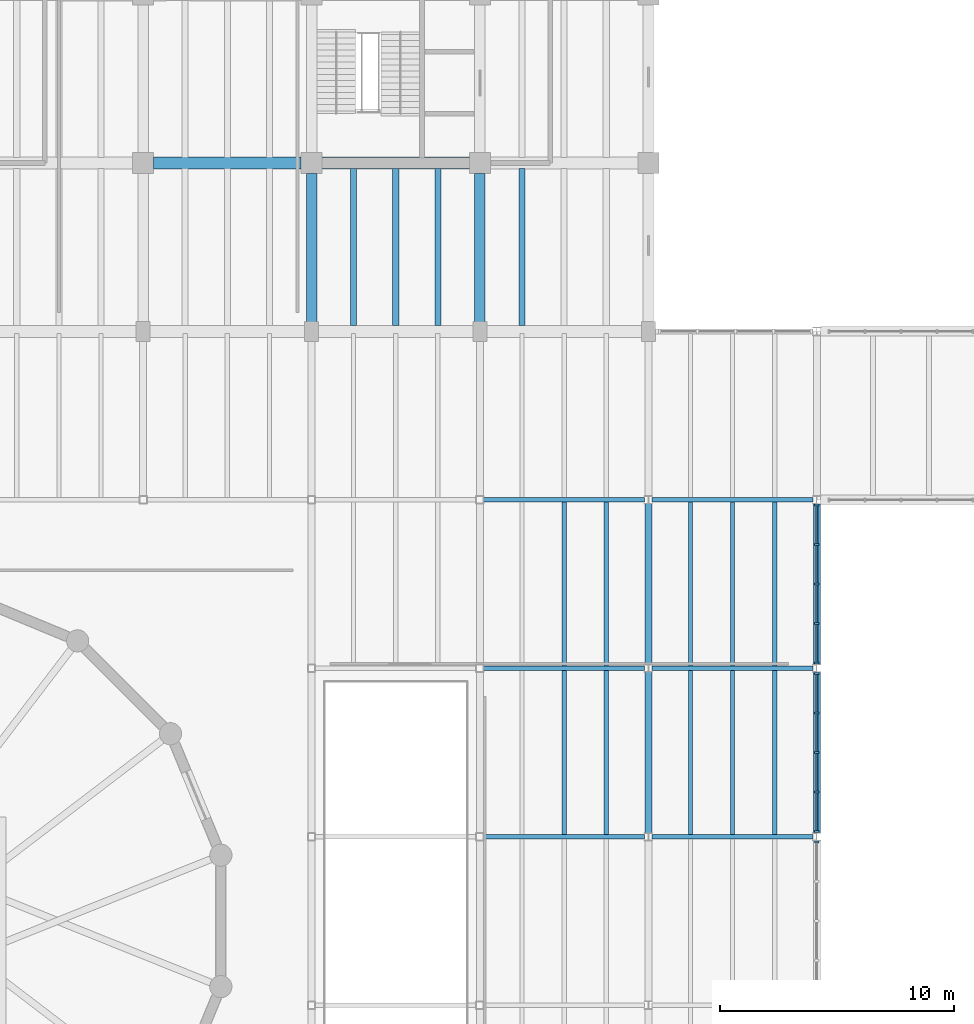
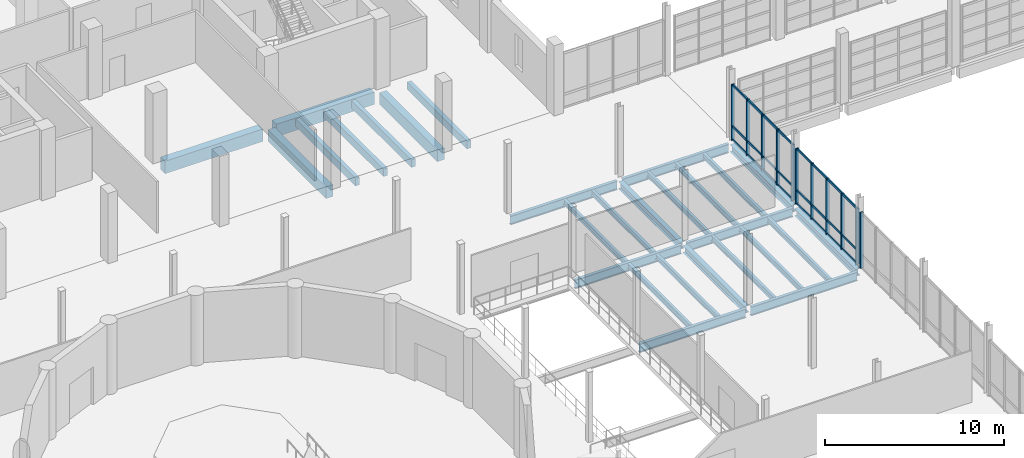
# One storey, part 37 of 77: 35 members, 28 beams, 3 elements without a shape of their own.
"""IFC4 building model written with IfcOpenShell, lengths in metres."""

from ifc_helpers import new_model, si_unit, direction, frame, origin, origin_2d, place, context, subcontext, project, spatial, rectangle, i_section, extrude, material, material_profile, profile_set, type_object, element, aggregate, save


model = new_model("IFC4")

# Units and contexts
model_context = context("Model", 3, precision=1e-05, world=origin(), true_north=direction((0.0, 1.0)))
body_context = subcontext(model_context, "Body", "Model", "MODEL_VIEW")
ifc_project = project(units=[si_unit("LENGTHUNIT", "METRE"), si_unit("AREAUNIT", "SQUARE_METRE"), si_unit("VOLUMEUNIT", "CUBIC_METRE"), si_unit("PLANEANGLEUNIT", "RADIAN"), si_unit("MASSUNIT", "GRAM", prefix="KILO")], contexts=[model_context])

# Site, building, storey
site_placement = place(None, origin())
site = spatial("IfcSite", under=ifc_project, at=site_placement, CompositionType="ELEMENT")
building_placement = place(site_placement, origin())
building = spatial("IfcBuilding", under=site, at=building_placement, Name="Qiaolan Assembly House", CompositionType="ELEMENT")
storey_placement = place(building_placement, frame((0.0, 0.0, 5.39990234375)))
storey = spatial("IfcBuildingStorey", under=building, at=storey_placement, Name="L01", CompositionType="ELEMENT", Elevation=5.39990234375)

# Beams
ifc_material_1 = material(Name="Concrete C40/50", Category="concrete")
ifc_material_profile_1 = material_profile(ifc_material_1, rectangle(XDim=0.449951171875, YDim=0.800048828125, at=origin_2d()), Name="RCB 450x800")
ifc_profile_set_1 = profile_set([ifc_material_profile_1], Name="Concrete C40/50")
beam_type_1 = type_object("IfcBeamType", Name="BM-RC-450x800", PredefinedType="BEAM", material=ifc_profile_set_1)
for number, where, z_axis, x_axis, name in (
    (1, (86.39990234375, 86.68994140625, -0.64990234375), (0.0, 1.0, 0.0), (-1.0, 0.0, 0.0), "GB-03 beam BMY-NW-L01-07-00"),
    (2, (93.60009765625, 86.68994140625, -0.64990234375), (0.0, 1.0, 0.0), (-1.0, 0.0, 0.0), "GB-03 beam BMY-NW-L01-08-00"),
):
    element("IfcBeam", number, at=place(storey_placement, frame(where, z_axis=z_axis, x_axis=x_axis)), inside=storey, type_object=beam_type_1, Name=name, PredefinedType="BEAM", context=body_context, shape_type="SweptSolid", body=[
        extrude(rectangle(XDim=0.449951171875, YDim=0.800048828125, at=origin_2d()), origin(), (0.0, 0.0, 1.0), 6.469970703125),
    ])
ifc_material_2 = material(Name="Concrete C45/55", Category="concrete")
ifc_material_profile_2 = material_profile(ifc_material_2, rectangle(XDim=0.5, YDim=0.85009765625, at=origin_2d()), Name="RCB 500x850")
ifc_profile_set_2 = profile_set([ifc_material_profile_2], Name="Concrete C45/55")
beam_type_2 = type_object("IfcBeamType", Name="BM-RC-500x850", PredefinedType="BEAM", material=ifc_profile_set_2)
beam_1_placement = place(storey_placement, frame((79.639892578125, 93.60009765625, -0.6748046875), z_axis=(1.0, 0.0, 0.0), x_axis=(0.0, 1.0, 0.0)))
element("IfcBeam", 3, at=beam_1_placement, inside=storey, type_object=beam_type_2, Name="GB-02 beam BMX-NW-L01-06-01", PredefinedType="BEAM", context=body_context, shape_type="SweptSolid", body=[
    extrude(rectangle(XDim=0.5, YDim=0.85009765625, at=origin_2d()), origin(), (0.0, 0.0, 1.0), 6.320068359375),
])
beam_2_placement = place(storey_placement, frame((86.840087890625, 93.60009765625, -0.6748046875), z_axis=(1.0, 0.0, 0.0), x_axis=(0.0, 1.0, 0.0)))
element("IfcBeam", 4, at=beam_2_placement, inside=storey, type_object=beam_type_2, Name="GB-02 beam BMX-NW-L01-07-01", PredefinedType="BEAM", context=body_context, shape_type="SweptSolid", body=[
    extrude(rectangle(XDim=0.5, YDim=0.85009765625, at=origin_2d()), origin(), (0.0, 0.0, 1.0), 6.31982421875),
])
ifc_material_3 = material(Name="Steel Q355B", Category="steel")
ifc_material_profile_3 = material_profile(ifc_material_3, i_section(OverallWidth=0.300048828125, OverallDepth=0.488037109375, WebThickness=0.010986328125, FlangeThickness=0.01806640625, FilletRadius=0.02001953125, at=origin_2d()), Name="HM 488x300x11x18")
ifc_profile_set_3 = profile_set([ifc_material_profile_3], Name="Steel Q355B")
beam_type_3 = type_object("IfcBeamType", Name="BM-STL-HM488", PredefinedType="BEAM", material=ifc_profile_set_3)
for number, where, z_axis, x_axis, name in (
    (5, (100.800048828125, 64.965087890625, -0.5439453125), (0.0, 1.0, 0.0), (-1.0, 0.0, 0.0), "SB-04 beam BMY-HL-L01-11-04"),
    (6, (100.800048828125, 72.1650390625, -0.5439453125), (0.0, 1.0, 0.0), (-1.0, 0.0, 0.0), "SB-04 beam BMY-HL-L01-11-05"),
    (7, (108.0, 64.965087890625, -0.5439453125), (0.0, 1.0, 0.0), (-1.0, 0.0, 0.0), "SB-04 beam BMY-HL-L01-12-04"),
    (8, (108.0, 72.1650390625, -0.5439453125), (0.0, 1.0, 0.0), (-1.0, 0.0, 0.0), "SB-04 beam BMY-HL-L01-12-05"),
):
    element("IfcBeam", number, at=place(storey_placement, frame(where, z_axis=z_axis, x_axis=x_axis)), inside=storey, type_object=beam_type_3, Name=name, PredefinedType="BEAM", context=body_context, shape_type="SweptSolid", body=[
        extrude(i_section(OverallWidth=0.300048828125, OverallDepth=0.488037109375, WebThickness=0.010986328125, FlangeThickness=0.01806640625, FilletRadius=0.02001953125, at=origin_2d()), origin(), (0.0, 0.0, 1.0), 6.869873046875),
    ])
ifc_material_profile_4 = material_profile(ifc_material_3, i_section(OverallWidth=0.199951171875, OverallDepth=0.60009765625, WebThickness=0.010986328125, FlangeThickness=0.01708984375, FilletRadius=0.02001953125, at=origin_2d()), Name="HN 600x200x11x17")
ifc_profile_set_4 = profile_set([ifc_material_profile_4], Name="Steel Q355B")
beam_type_4 = type_object("IfcBeamType", Name="BM-STL-HN600", PredefinedType="BEAM", material=ifc_profile_set_4)
beam_3_placement = place(storey_placement, frame((93.75, 64.800048828125, -0.599853515625), z_axis=(1.0, 0.0, 0.0), x_axis=(0.0, 1.0, 0.0)))
element("IfcBeam", 9, at=beam_3_placement, inside=storey, type_object=beam_type_4, Name="SB-03 beam BMX-HL-L01-10-04", PredefinedType="BEAM", context=body_context, shape_type="SweptSolid", body=[
    extrude(i_section(OverallWidth=0.199951171875, OverallDepth=0.60009765625, WebThickness=0.010986328125, FlangeThickness=0.01708984375, FilletRadius=0.02001953125, at=origin_2d()), origin(), (0.0, 0.0, 1.0), 6.885009765625),
])
beam_4_placement = place(storey_placement, frame((100.965087890625, 64.800048828125, -0.599853515625), z_axis=(1.0, 0.0, 0.0), x_axis=(0.0, 1.0, 0.0)))
element("IfcBeam", 10, at=beam_4_placement, inside=storey, type_object=beam_type_4, Name="SB-03 beam BMX-HL-L01-11-04", PredefinedType="BEAM", context=body_context, shape_type="SweptSolid", body=[
    extrude(i_section(OverallWidth=0.199951171875, OverallDepth=0.60009765625, WebThickness=0.010986328125, FlangeThickness=0.01708984375, FilletRadius=0.02001953125, at=origin_2d()), origin(), (0.0, 0.0, 1.0), 6.869873046875),
])
beam_5_placement = place(storey_placement, frame((93.75, 72.0, -0.599853515625), z_axis=(1.0, 0.0, 0.0), x_axis=(0.0, 1.0, 0.0)))
element("IfcBeam", 11, at=beam_5_placement, inside=storey, type_object=beam_type_4, Name="SB-03 beam BMX-HL-L01-10-05", PredefinedType="BEAM", context=body_context, shape_type="SweptSolid", body=[
    extrude(i_section(OverallWidth=0.199951171875, OverallDepth=0.60009765625, WebThickness=0.010986328125, FlangeThickness=0.01708984375, FilletRadius=0.02001953125, at=origin_2d()), origin(), (0.0, 0.0, 1.0), 6.885009765625),
])
beam_6_placement = place(storey_placement, frame((100.965087890625, 72.0, -0.599853515625), z_axis=(1.0, 0.0, 0.0), x_axis=(0.0, 1.0, 0.0)))
element("IfcBeam", 12, at=beam_6_placement, inside=storey, type_object=beam_type_4, Name="SB-03 beam BMX-HL-L01-11-05", PredefinedType="BEAM", context=body_context, shape_type="SweptSolid", body=[
    extrude(i_section(OverallWidth=0.199951171875, OverallDepth=0.60009765625, WebThickness=0.010986328125, FlangeThickness=0.01708984375, FilletRadius=0.02001953125, at=origin_2d()), origin(), (0.0, 0.0, 1.0), 6.869873046875),
])
beam_7_placement = place(storey_placement, frame((93.75, 79.199951171875, -0.599853515625), z_axis=(1.0, 0.0, 0.0), x_axis=(0.0, 1.0, 0.0)))
element("IfcBeam", 13, at=beam_7_placement, inside=storey, type_object=beam_type_4, Name="SB-03 beam BMX-HL-L01-10-06", PredefinedType="BEAM", context=body_context, shape_type="SweptSolid", body=[
    extrude(i_section(OverallWidth=0.199951171875, OverallDepth=0.60009765625, WebThickness=0.010986328125, FlangeThickness=0.01708984375, FilletRadius=0.02001953125, at=origin_2d()), origin(), (0.0, 0.0, 1.0), 6.885009765625),
])
beam_8_placement = place(storey_placement, frame((100.965087890625, 79.199951171875, -0.599853515625), z_axis=(1.0, 0.0, 0.0), x_axis=(0.0, 1.0, 0.0)))
element("IfcBeam", 14, at=beam_8_placement, inside=storey, type_object=beam_type_4, Name="SB-03 beam BMX-HL-L01-11-06", PredefinedType="BEAM", context=body_context, shape_type="SweptSolid", body=[
    extrude(i_section(OverallWidth=0.199951171875, OverallDepth=0.60009765625, WebThickness=0.010986328125, FlangeThickness=0.01708984375, FilletRadius=0.02001953125, at=origin_2d()), origin(), (0.0, 0.0, 1.0), 6.869873046875),
])

# Curtain wall, member
ifc_material_4 = material(Name="Anodised bronze aluminium", Category="aluminium")
curtain_wall_type = type_object("IfcCurtainWallType", Name="CW-HALL-UPPER-480", PredefinedType="NOTDEFINED", material=ifc_material_4)
curtain_wall_1_placement = place(storey_placement, origin())
curtain_wall_1 = element("IfcCurtainWall", 15, at=curtain_wall_1_placement, inside=storey, type_object=curtain_wall_type, Name="CW-01 Hall East court curtain wall L01-3", PredefinedType="NOTDEFINED")
ifc_material_profile_5 = material_profile(ifc_material_4, rectangle(XDim=0.0859375, YDim=0.199951171875, at=origin_2d()), Name="MUL 86x200")
ifc_profile_set_5 = profile_set([ifc_material_profile_5], Name="Anodised bronze aluminium")
member_type_1 = type_object("IfcMemberType", Name="CW-HALL-UPPER-480-MUL", PredefinedType="MULLION", material=ifc_profile_set_5)
member_1_placement = place(storey_placement, frame((108.0, 64.580078125, 0.0), z_axis=(0.0, 0.0, 1.0), x_axis=(0.0, -1.0, 0.0)))
member_1 = element("IfcMember", 16, at=member_1_placement, type_object=member_type_1, Name="ML-02 mullion CW-HALL-E-L01-02-1", PredefinedType="MULLION", context=body_context, shape_type="SweptSolid", body=[
    extrude(rectangle(XDim=0.0859375, YDim=0.199951171875, at=origin_2d()), origin(), (0.0, 0.0, 1.0), 3.800048828125),
])
aggregate(curtain_wall_1, [member_1])

# Curtain wall, members
curtain_wall_2_placement = place(storey_placement, origin())
curtain_wall_2 = element("IfcCurtainWall", 17, at=curtain_wall_2_placement, inside=storey, type_object=curtain_wall_type, Name="CW-01 Hall East court curtain wall L01-4", PredefinedType="NOTDEFINED")
member_2_placement = place(storey_placement, frame((108.0, 71.780029296875, 0.0), z_axis=(0.0, 0.0, 1.0), x_axis=(0.0, -1.0, 0.0)))
member_2 = element("IfcMember", 18, at=member_2_placement, type_object=member_type_1, Name="ML-02 mullion CW-HALL-E-L01-03-1", PredefinedType="MULLION", context=body_context, shape_type="SweptSolid", body=[
    extrude(rectangle(XDim=0.0859375, YDim=0.199951171875, at=origin_2d()), origin(), (0.0, 0.0, 1.0), 3.800048828125),
])
member_3_placement = place(storey_placement, frame((108.0, 70.090087890625, 0.0), z_axis=(0.0, 0.0, 1.0), x_axis=(0.0, -1.0, 0.0)))
member_3 = element("IfcMember", 19, at=member_3_placement, type_object=member_type_1, Name="ML-02 mullion CW-HALL-E-L01-03-2", PredefinedType="MULLION", context=body_context, shape_type="SweptSolid", body=[
    extrude(rectangle(XDim=0.0859375, YDim=0.199951171875, at=origin_2d()), origin(), (0.0, 0.0, 1.0), 3.800048828125),
])
member_4_placement = place(storey_placement, frame((108.0, 68.39990234375, 0.0), z_axis=(0.0, 0.0, 1.0), x_axis=(0.0, -1.0, 0.0)))
member_4 = element("IfcMember", 20, at=member_4_placement, type_object=member_type_1, Name="ML-02 mullion CW-HALL-E-L01-03-3", PredefinedType="MULLION", context=body_context, shape_type="SweptSolid", body=[
    extrude(rectangle(XDim=0.0859375, YDim=0.199951171875, at=origin_2d()), origin(), (0.0, 0.0, 1.0), 3.800048828125),
])
member_5_placement = place(storey_placement, frame((108.0, 66.7099609375, 0.0), z_axis=(0.0, 0.0, 1.0), x_axis=(0.0, -1.0, 0.0)))
member_5 = element("IfcMember", 21, at=member_5_placement, type_object=member_type_1, Name="ML-02 mullion CW-HALL-E-L01-03-4", PredefinedType="MULLION", context=body_context, shape_type="SweptSolid", body=[
    extrude(rectangle(XDim=0.0859375, YDim=0.199951171875, at=origin_2d()), origin(), (0.0, 0.0, 1.0), 3.800048828125),
])
member_6_placement = place(storey_placement, frame((108.0, 65.02001953125, 0.0), z_axis=(0.0, 0.0, 1.0), x_axis=(0.0, -1.0, 0.0)))
member_6 = element("IfcMember", 22, at=member_6_placement, type_object=member_type_1, Name="ML-02 mullion CW-HALL-E-L01-03-5", PredefinedType="MULLION", context=body_context, shape_type="SweptSolid", body=[
    extrude(rectangle(XDim=0.0859375, YDim=0.199951171875, at=origin_2d()), origin(), (0.0, 0.0, 1.0), 3.800048828125),
])

curtain_wall_3_placement = place(storey_placement, origin())
curtain_wall_3 = element("IfcCurtainWall", 23, at=curtain_wall_3_placement, inside=storey, type_object=curtain_wall_type, Name="CW-01 Hall East court curtain wall L01-5", PredefinedType="NOTDEFINED")
member_7_placement = place(storey_placement, frame((108.0, 78.97998046875, 0.0), z_axis=(0.0, 0.0, 1.0), x_axis=(0.0, -1.0, 0.0)))
member_7 = element("IfcMember", 24, at=member_7_placement, type_object=member_type_1, Name="ML-02 mullion CW-HALL-E-L01-04-1", PredefinedType="MULLION", context=body_context, shape_type="SweptSolid", body=[
    extrude(rectangle(XDim=0.0859375, YDim=0.199951171875, at=origin_2d()), origin(), (0.0, 0.0, 1.0), 3.800048828125),
])
member_8_placement = place(storey_placement, frame((108.0, 77.2900390625, 0.0), z_axis=(0.0, 0.0, 1.0), x_axis=(0.0, -1.0, 0.0)))
member_8 = element("IfcMember", 25, at=member_8_placement, type_object=member_type_1, Name="ML-02 mullion CW-HALL-E-L01-04-2", PredefinedType="MULLION", context=body_context, shape_type="SweptSolid", body=[
    extrude(rectangle(XDim=0.0859375, YDim=0.199951171875, at=origin_2d()), origin(), (0.0, 0.0, 1.0), 3.800048828125),
])
member_9_placement = place(storey_placement, frame((108.0, 75.60009765625, 0.0), z_axis=(0.0, 0.0, 1.0), x_axis=(0.0, -1.0, 0.0)))
member_9 = element("IfcMember", 26, at=member_9_placement, type_object=member_type_1, Name="ML-02 mullion CW-HALL-E-L01-04-3", PredefinedType="MULLION", context=body_context, shape_type="SweptSolid", body=[
    extrude(rectangle(XDim=0.0859375, YDim=0.199951171875, at=origin_2d()), origin(), (0.0, 0.0, 1.0), 3.800048828125),
])
member_10_placement = place(storey_placement, frame((108.0, 73.909912109375, 0.0), z_axis=(0.0, 0.0, 1.0), x_axis=(0.0, -1.0, 0.0)))
member_10 = element("IfcMember", 27, at=member_10_placement, type_object=member_type_1, Name="ML-02 mullion CW-HALL-E-L01-04-4", PredefinedType="MULLION", context=body_context, shape_type="SweptSolid", body=[
    extrude(rectangle(XDim=0.0859375, YDim=0.199951171875, at=origin_2d()), origin(), (0.0, 0.0, 1.0), 3.800048828125),
])
member_11_placement = place(storey_placement, frame((108.0, 72.219970703125, 0.0), z_axis=(0.0, 0.0, 1.0), x_axis=(0.0, -1.0, 0.0)))
member_11 = element("IfcMember", 28, at=member_11_placement, type_object=member_type_1, Name="ML-02 mullion CW-HALL-E-L01-04-5", PredefinedType="MULLION", context=body_context, shape_type="SweptSolid", body=[
    extrude(rectangle(XDim=0.0859375, YDim=0.199951171875, at=origin_2d()), origin(), (0.0, 0.0, 1.0), 3.800048828125),
])

# Member
ifc_material_profile_6 = material_profile(ifc_material_4, rectangle(XDim=0.075927734375, YDim=0.14990234375, at=origin_2d()), Name="TRN 76x150")
ifc_profile_set_6 = profile_set([ifc_material_profile_6], Name="Anodised bronze aluminium")
member_type_2 = type_object("IfcMemberType", Name="CW-HALL-UPPER-480-TRN", PredefinedType="USERDEFINED", material=ifc_profile_set_6)
member_12_placement = place(storey_placement, frame((108.0, 71.737060546875, 0.030029296875), z_axis=(0.0, -1.0, 0.0), x_axis=(1.0, 0.0, 0.0)))
member_12 = element("IfcMember", 29, at=member_12_placement, type_object=member_type_2, Name="TR-02 transom CW-HALL-E-L01-03-1-1", ObjectType="TRANSOM", PredefinedType="USERDEFINED", context=body_context, shape_type="SweptSolid", body=[
    extrude(rectangle(XDim=0.075927734375, YDim=0.14990234375, at=origin_2d()), origin(), (0.0, 0.0, 1.0), 1.60400390625),
])

member_13_placement = place(storey_placement, frame((108.0, 71.737060546875, 0.9501953125), z_axis=(0.0, -1.0, 0.0), x_axis=(1.0, 0.0, 0.0)))
member_13 = element("IfcMember", 30, at=member_13_placement, type_object=member_type_2, Name="TR-02 transom CW-HALL-E-L01-03-1-2", ObjectType="TRANSOM", PredefinedType="USERDEFINED", context=body_context, shape_type="SweptSolid", body=[
    extrude(rectangle(XDim=0.075927734375, YDim=0.14990234375, at=origin_2d()), origin(), (0.0, 0.0, 1.0), 1.60400390625),
])

member_14_placement = place(storey_placement, frame((108.0, 71.737060546875, 3.77001953125), z_axis=(0.0, -1.0, 0.0), x_axis=(1.0, 0.0, 0.0)))
member_14 = element("IfcMember", 31, at=member_14_placement, type_object=member_type_2, Name="TR-02 transom CW-HALL-E-L01-03-1-3", ObjectType="TRANSOM", PredefinedType="USERDEFINED", context=body_context, shape_type="SweptSolid", body=[
    extrude(rectangle(XDim=0.075927734375, YDim=0.14990234375, at=origin_2d()), origin(), (0.0, 0.0, 1.0), 1.60400390625),
])

member_15_placement = place(storey_placement, frame((108.0, 70.047119140625, 0.030029296875), z_axis=(0.0, -1.0, 0.0), x_axis=(1.0, 0.0, 0.0)))
member_15 = element("IfcMember", 32, at=member_15_placement, type_object=member_type_2, Name="TR-02 transom CW-HALL-E-L01-03-2-1", ObjectType="TRANSOM", PredefinedType="USERDEFINED", context=body_context, shape_type="SweptSolid", body=[
    extrude(rectangle(XDim=0.075927734375, YDim=0.14990234375, at=origin_2d()), origin(), (0.0, 0.0, 1.0), 1.60400390625),
])

member_16_placement = place(storey_placement, frame((108.0, 70.047119140625, 0.9501953125), z_axis=(0.0, -1.0, 0.0), x_axis=(1.0, 0.0, 0.0)))
member_16 = element("IfcMember", 33, at=member_16_placement, type_object=member_type_2, Name="TR-02 transom CW-HALL-E-L01-03-2-2", ObjectType="TRANSOM", PredefinedType="USERDEFINED", context=body_context, shape_type="SweptSolid", body=[
    extrude(rectangle(XDim=0.075927734375, YDim=0.14990234375, at=origin_2d()), origin(), (0.0, 0.0, 1.0), 1.60400390625),
])

member_17_placement = place(storey_placement, frame((108.0, 70.047119140625, 3.77001953125), z_axis=(0.0, -1.0, 0.0), x_axis=(1.0, 0.0, 0.0)))
member_17 = element("IfcMember", 34, at=member_17_placement, type_object=member_type_2, Name="TR-02 transom CW-HALL-E-L01-03-2-3", ObjectType="TRANSOM", PredefinedType="USERDEFINED", context=body_context, shape_type="SweptSolid", body=[
    extrude(rectangle(XDim=0.075927734375, YDim=0.14990234375, at=origin_2d()), origin(), (0.0, 0.0, 1.0), 1.60400390625),
])

member_18_placement = place(storey_placement, frame((108.0, 68.35693359375, 0.030029296875), z_axis=(0.0, -1.0, 0.0), x_axis=(1.0, 0.0, 0.0)))
member_18 = element("IfcMember", 35, at=member_18_placement, type_object=member_type_2, Name="TR-02 transom CW-HALL-E-L01-03-3-1", ObjectType="TRANSOM", PredefinedType="USERDEFINED", context=body_context, shape_type="SweptSolid", body=[
    extrude(rectangle(XDim=0.075927734375, YDim=0.14990234375, at=origin_2d()), origin(), (0.0, 0.0, 1.0), 1.60400390625),
])

member_19_placement = place(storey_placement, frame((108.0, 68.35693359375, 0.9501953125), z_axis=(0.0, -1.0, 0.0), x_axis=(1.0, 0.0, 0.0)))
member_19 = element("IfcMember", 36, at=member_19_placement, type_object=member_type_2, Name="TR-02 transom CW-HALL-E-L01-03-3-2", ObjectType="TRANSOM", PredefinedType="USERDEFINED", context=body_context, shape_type="SweptSolid", body=[
    extrude(rectangle(XDim=0.075927734375, YDim=0.14990234375, at=origin_2d()), origin(), (0.0, 0.0, 1.0), 1.60400390625),
])

member_20_placement = place(storey_placement, frame((108.0, 68.35693359375, 3.77001953125), z_axis=(0.0, -1.0, 0.0), x_axis=(1.0, 0.0, 0.0)))
member_20 = element("IfcMember", 37, at=member_20_placement, type_object=member_type_2, Name="TR-02 transom CW-HALL-E-L01-03-3-3", ObjectType="TRANSOM", PredefinedType="USERDEFINED", context=body_context, shape_type="SweptSolid", body=[
    extrude(rectangle(XDim=0.075927734375, YDim=0.14990234375, at=origin_2d()), origin(), (0.0, 0.0, 1.0), 1.60400390625),
])

member_21_placement = place(storey_placement, frame((108.0, 66.6669921875, 0.030029296875), z_axis=(0.0, -1.0, 0.0), x_axis=(1.0, 0.0, 0.0)))
member_21 = element("IfcMember", 38, at=member_21_placement, type_object=member_type_2, Name="TR-02 transom CW-HALL-E-L01-03-4-1", ObjectType="TRANSOM", PredefinedType="USERDEFINED", context=body_context, shape_type="SweptSolid", body=[
    extrude(rectangle(XDim=0.075927734375, YDim=0.14990234375, at=origin_2d()), origin(), (0.0, 0.0, 1.0), 1.60400390625),
])

member_22_placement = place(storey_placement, frame((108.0, 66.6669921875, 0.9501953125), z_axis=(0.0, -1.0, 0.0), x_axis=(1.0, 0.0, 0.0)))
member_22 = element("IfcMember", 39, at=member_22_placement, type_object=member_type_2, Name="TR-02 transom CW-HALL-E-L01-03-4-2", ObjectType="TRANSOM", PredefinedType="USERDEFINED", context=body_context, shape_type="SweptSolid", body=[
    extrude(rectangle(XDim=0.075927734375, YDim=0.14990234375, at=origin_2d()), origin(), (0.0, 0.0, 1.0), 1.60400390625),
])

member_23_placement = place(storey_placement, frame((108.0, 66.6669921875, 3.77001953125), z_axis=(0.0, -1.0, 0.0), x_axis=(1.0, 0.0, 0.0)))
member_23 = element("IfcMember", 40, at=member_23_placement, type_object=member_type_2, Name="TR-02 transom CW-HALL-E-L01-03-4-3", ObjectType="TRANSOM", PredefinedType="USERDEFINED", context=body_context, shape_type="SweptSolid", body=[
    extrude(rectangle(XDim=0.075927734375, YDim=0.14990234375, at=origin_2d()), origin(), (0.0, 0.0, 1.0), 1.60400390625),
])

aggregate(curtain_wall_2, [member_2, member_3, member_4, member_5, member_6, member_12, member_13, member_14, member_15, member_16, member_17, member_18, member_19, member_20, member_21, member_22, member_23])

member_24_placement = place(storey_placement, frame((108.0, 78.93701171875, 0.030029296875), z_axis=(0.0, -1.0, 0.0), x_axis=(1.0, 0.0, 0.0)))
member_24 = element("IfcMember", 41, at=member_24_placement, type_object=member_type_2, Name="TR-02 transom CW-HALL-E-L01-04-1-1", ObjectType="TRANSOM", PredefinedType="USERDEFINED", context=body_context, shape_type="SweptSolid", body=[
    extrude(rectangle(XDim=0.075927734375, YDim=0.14990234375, at=origin_2d()), origin(), (0.0, 0.0, 1.0), 1.60400390625),
])

member_25_placement = place(storey_placement, frame((108.0, 78.93701171875, 0.9501953125), z_axis=(0.0, -1.0, 0.0), x_axis=(1.0, 0.0, 0.0)))
member_25 = element("IfcMember", 42, at=member_25_placement, type_object=member_type_2, Name="TR-02 transom CW-HALL-E-L01-04-1-2", ObjectType="TRANSOM", PredefinedType="USERDEFINED", context=body_context, shape_type="SweptSolid", body=[
    extrude(rectangle(XDim=0.075927734375, YDim=0.14990234375, at=origin_2d()), origin(), (0.0, 0.0, 1.0), 1.60400390625),
])

member_26_placement = place(storey_placement, frame((108.0, 78.93701171875, 3.77001953125), z_axis=(0.0, -1.0, 0.0), x_axis=(1.0, 0.0, 0.0)))
member_26 = element("IfcMember", 43, at=member_26_placement, type_object=member_type_2, Name="TR-02 transom CW-HALL-E-L01-04-1-3", ObjectType="TRANSOM", PredefinedType="USERDEFINED", context=body_context, shape_type="SweptSolid", body=[
    extrude(rectangle(XDim=0.075927734375, YDim=0.14990234375, at=origin_2d()), origin(), (0.0, 0.0, 1.0), 1.60400390625),
])

member_27_placement = place(storey_placement, frame((108.0, 77.2470703125, 0.030029296875), z_axis=(0.0, -1.0, 0.0), x_axis=(1.0, 0.0, 0.0)))
member_27 = element("IfcMember", 44, at=member_27_placement, type_object=member_type_2, Name="TR-02 transom CW-HALL-E-L01-04-2-1", ObjectType="TRANSOM", PredefinedType="USERDEFINED", context=body_context, shape_type="SweptSolid", body=[
    extrude(rectangle(XDim=0.075927734375, YDim=0.14990234375, at=origin_2d()), origin(), (0.0, 0.0, 1.0), 1.60400390625),
])

member_28_placement = place(storey_placement, frame((108.0, 77.2470703125, 0.9501953125), z_axis=(0.0, -1.0, 0.0), x_axis=(1.0, 0.0, 0.0)))
member_28 = element("IfcMember", 45, at=member_28_placement, type_object=member_type_2, Name="TR-02 transom CW-HALL-E-L01-04-2-2", ObjectType="TRANSOM", PredefinedType="USERDEFINED", context=body_context, shape_type="SweptSolid", body=[
    extrude(rectangle(XDim=0.075927734375, YDim=0.14990234375, at=origin_2d()), origin(), (0.0, 0.0, 1.0), 1.60400390625),
])

member_29_placement = place(storey_placement, frame((108.0, 77.2470703125, 3.77001953125), z_axis=(0.0, -1.0, 0.0), x_axis=(1.0, 0.0, 0.0)))
member_29 = element("IfcMember", 46, at=member_29_placement, type_object=member_type_2, Name="TR-02 transom CW-HALL-E-L01-04-2-3", ObjectType="TRANSOM", PredefinedType="USERDEFINED", context=body_context, shape_type="SweptSolid", body=[
    extrude(rectangle(XDim=0.075927734375, YDim=0.14990234375, at=origin_2d()), origin(), (0.0, 0.0, 1.0), 1.60400390625),
])

member_30_placement = place(storey_placement, frame((108.0, 75.556884765625, 0.030029296875), z_axis=(0.0, -1.0, 0.0), x_axis=(1.0, 0.0, 0.0)))
member_30 = element("IfcMember", 47, at=member_30_placement, type_object=member_type_2, Name="TR-02 transom CW-HALL-E-L01-04-3-1", ObjectType="TRANSOM", PredefinedType="USERDEFINED", context=body_context, shape_type="SweptSolid", body=[
    extrude(rectangle(XDim=0.075927734375, YDim=0.14990234375, at=origin_2d()), origin(), (0.0, 0.0, 1.0), 1.60400390625),
])

member_31_placement = place(storey_placement, frame((108.0, 75.556884765625, 0.9501953125), z_axis=(0.0, -1.0, 0.0), x_axis=(1.0, 0.0, 0.0)))
member_31 = element("IfcMember", 48, at=member_31_placement, type_object=member_type_2, Name="TR-02 transom CW-HALL-E-L01-04-3-2", ObjectType="TRANSOM", PredefinedType="USERDEFINED", context=body_context, shape_type="SweptSolid", body=[
    extrude(rectangle(XDim=0.075927734375, YDim=0.14990234375, at=origin_2d()), origin(), (0.0, 0.0, 1.0), 1.60400390625),
])

member_32_placement = place(storey_placement, frame((108.0, 75.556884765625, 3.77001953125), z_axis=(0.0, -1.0, 0.0), x_axis=(1.0, 0.0, 0.0)))
member_32 = element("IfcMember", 49, at=member_32_placement, type_object=member_type_2, Name="TR-02 transom CW-HALL-E-L01-04-3-3", ObjectType="TRANSOM", PredefinedType="USERDEFINED", context=body_context, shape_type="SweptSolid", body=[
    extrude(rectangle(XDim=0.075927734375, YDim=0.14990234375, at=origin_2d()), origin(), (0.0, 0.0, 1.0), 1.60400390625),
])

member_33_placement = place(storey_placement, frame((108.0, 73.866943359375, 0.030029296875), z_axis=(0.0, -1.0, 0.0), x_axis=(1.0, 0.0, 0.0)))
member_33 = element("IfcMember", 50, at=member_33_placement, type_object=member_type_2, Name="TR-02 transom CW-HALL-E-L01-04-4-1", ObjectType="TRANSOM", PredefinedType="USERDEFINED", context=body_context, shape_type="SweptSolid", body=[
    extrude(rectangle(XDim=0.075927734375, YDim=0.14990234375, at=origin_2d()), origin(), (0.0, 0.0, 1.0), 1.60400390625),
])

member_34_placement = place(storey_placement, frame((108.0, 73.866943359375, 0.9501953125), z_axis=(0.0, -1.0, 0.0), x_axis=(1.0, 0.0, 0.0)))
member_34 = element("IfcMember", 51, at=member_34_placement, type_object=member_type_2, Name="TR-02 transom CW-HALL-E-L01-04-4-2", ObjectType="TRANSOM", PredefinedType="USERDEFINED", context=body_context, shape_type="SweptSolid", body=[
    extrude(rectangle(XDim=0.075927734375, YDim=0.14990234375, at=origin_2d()), origin(), (0.0, 0.0, 1.0), 1.60400390625),
])

member_35_placement = place(storey_placement, frame((108.0, 73.866943359375, 3.77001953125), z_axis=(0.0, -1.0, 0.0), x_axis=(1.0, 0.0, 0.0)))
member_35 = element("IfcMember", 52, at=member_35_placement, type_object=member_type_2, Name="TR-02 transom CW-HALL-E-L01-04-4-3", ObjectType="TRANSOM", PredefinedType="USERDEFINED", context=body_context, shape_type="SweptSolid", body=[
    extrude(rectangle(XDim=0.075927734375, YDim=0.14990234375, at=origin_2d()), origin(), (0.0, 0.0, 1.0), 1.60400390625),
])

aggregate(curtain_wall_3, [member_7, member_8, member_9, member_10, member_11, member_24, member_25, member_26, member_27, member_28, member_29, member_30, member_31, member_32, member_33, member_34, member_35])

# Beams
ifc_material_profile_7 = material_profile(ifc_material_1, rectangle(XDim=0.260009765625, YDim=0.52001953125, at=origin_2d()), Name="RCB 260x520")
ifc_profile_set_7 = profile_set([ifc_material_profile_7], Name="Concrete C40/50")
beam_type_5 = type_object("IfcBeamType", Name="JST-RC-260x520", PredefinedType="JOIST", material=ifc_profile_set_7)
for number, where, z_axis, x_axis, name in (
    (53, (88.199951171875, 86.64404296875, -0.559814453125), (0.0, 1.0, 0.0), (-1.0, 0.0, 0.0), "RJ-07 beam JST-NW-L01-07-00-1"),
    (54, (90.0, 86.64404296875, -0.559814453125), (0.0, 1.0, 0.0), (-1.0, 0.0, 0.0), "RJ-07 beam JST-NW-L01-07-00-2"),
    (55, (91.800048828125, 86.64404296875, -0.559814453125), (0.0, 1.0, 0.0), (-1.0, 0.0, 0.0), "RJ-07 beam JST-NW-L01-07-00-3"),
    (56, (95.39990234375, 86.64404296875, -0.559814453125), (0.0, 1.0, 0.0), (-1.0, 0.0, 0.0), "RJ-07 beam JST-NW-L01-08-00-1"),
):
    element("IfcBeam", number, at=place(storey_placement, frame(where, z_axis=z_axis, x_axis=x_axis)), inside=storey, type_object=beam_type_5, Name=name, PredefinedType="JOIST", context=body_context, shape_type="SweptSolid", body=[
        extrude(rectangle(XDim=0.260009765625, YDim=0.52001953125, at=origin_2d()), origin(), (0.0, 0.0, 1.0), 6.7119140625),
    ])
ifc_material_profile_8 = material_profile(ifc_material_3, i_section(OverallWidth=0.179931640625, OverallDepth=0.360107421875, WebThickness=0.008056640625, FlangeThickness=0.011962890625, FilletRadius=0.013916015625, at=origin_2d()), Name="HN 360x180x8x12")
ifc_profile_set_8 = profile_set([ifc_material_profile_8], Name="Steel Q355B")
beam_type_6 = type_object("IfcBeamType", Name="JST-STL-HN360", PredefinedType="JOIST", material=ifc_profile_set_8)
for number, where, z_axis, x_axis, name in (
    (57, (97.199951171875, 64.89404296875, -0.47998046875), (0.0, 1.0, 0.0), (-1.0, 0.0, 0.0), "SJ-06 beam JST-HL-L01-10-04-2"),
    (58, (99.0, 64.89404296875, -0.47998046875), (0.0, 1.0, 0.0), (-1.0, 0.0, 0.0), "SJ-06 beam JST-HL-L01-10-04-3"),
    (59, (97.199951171875, 72.093994140625, -0.47998046875), (0.0, 1.0, 0.0), (-1.0, 0.0, 0.0), "SJ-06 beam JST-HL-L01-10-05-2"),
    (60, (99.0, 72.093994140625, -0.47998046875), (0.0, 1.0, 0.0), (-1.0, 0.0, 0.0), "SJ-06 beam JST-HL-L01-10-05-3"),
    (61, (102.60009765625, 64.89404296875, -0.47998046875), (0.0, 1.0, 0.0), (-1.0, 0.0, 0.0), "SJ-06 beam JST-HL-L01-11-04-1"),
    (62, (104.39990234375, 64.89404296875, -0.47998046875), (0.0, 1.0, 0.0), (-1.0, 0.0, 0.0), "SJ-06 beam JST-HL-L01-11-04-2"),
    (63, (106.199951171875, 64.89404296875, -0.47998046875), (0.0, 1.0, 0.0), (-1.0, 0.0, 0.0), "SJ-06 beam JST-HL-L01-11-04-3"),
    (64, (102.60009765625, 72.093994140625, -0.47998046875), (0.0, 1.0, 0.0), (-1.0, 0.0, 0.0), "SJ-06 beam JST-HL-L01-11-05-1"),
    (65, (104.39990234375, 72.093994140625, -0.47998046875), (0.0, 1.0, 0.0), (-1.0, 0.0, 0.0), "SJ-06 beam JST-HL-L01-11-05-2"),
    (66, (106.199951171875, 72.093994140625, -0.47998046875), (0.0, 1.0, 0.0), (-1.0, 0.0, 0.0), "SJ-06 beam JST-HL-L01-11-05-3"),
):
    element("IfcBeam", number, at=place(storey_placement, frame(where, z_axis=z_axis, x_axis=x_axis)), inside=storey, type_object=beam_type_6, Name=name, PredefinedType="JOIST", context=body_context, shape_type="SweptSolid", body=[
        extrude(i_section(OverallWidth=0.179931640625, OverallDepth=0.360107421875, WebThickness=0.008056640625, FlangeThickness=0.011962890625, FilletRadius=0.013916015625, at=origin_2d()), origin(), (0.0, 0.0, 1.0), 7.011962890625),
    ])

save(model, "model.ifc")
